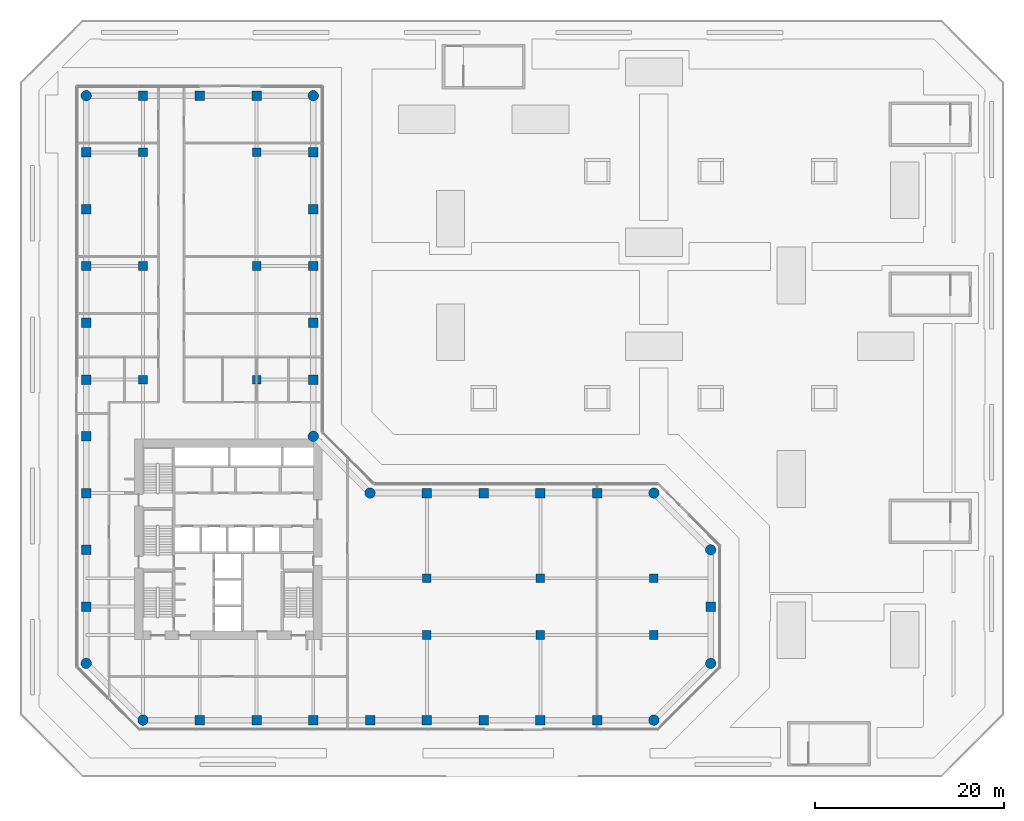
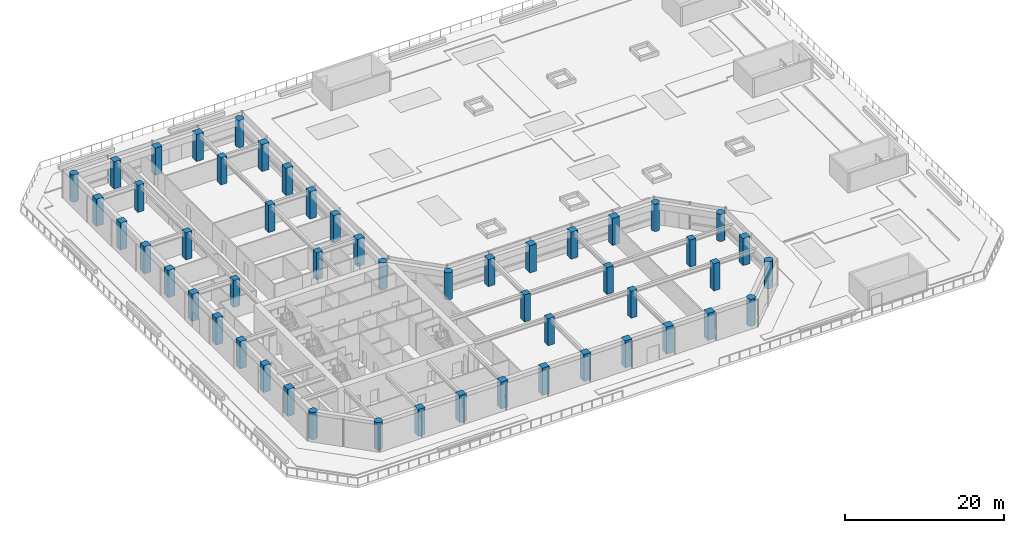
# One storey, part 1 of 31: 52 columns.
"""IFC4 building model written with IfcOpenShell, lengths in metres."""

from ifc_helpers import new_model, si_unit, direction, frame, origin, origin_2d, place, context, subcontext, project, spatial, rectangle, circle, extrude, material, material_profile, profile_set, type_object, element, save


model = new_model("IFC4")

# Units and contexts
model_context = context("Model", 3, precision=1e-05, world=origin(), true_north=direction((0.0, 1.0)))
body_context = subcontext(model_context, "Body", "Model", "MODEL_VIEW")
ifc_project = project(units=[si_unit("LENGTHUNIT", "METRE"), si_unit("AREAUNIT", "SQUARE_METRE"), si_unit("VOLUMEUNIT", "CUBIC_METRE"), si_unit("PLANEANGLEUNIT", "RADIAN"), si_unit("MASSUNIT", "GRAM", prefix="KILO")], contexts=[model_context])

# Site, building, storey
site_placement = place(None, origin())
site = spatial("IfcSite", under=ifc_project, at=site_placement, CompositionType="ELEMENT")
building_placement = place(site_placement, origin())
building = spatial("IfcBuilding", under=site, at=building_placement, Name="Welwitschia Terrace Campus", CompositionType="ELEMENT")
storey_placement = place(building_placement, frame((0.0, 0.0, 11.0)))
storey = spatial("IfcBuildingStorey", under=building, at=storey_placement, Name="L02", CompositionType="ELEMENT", Elevation=11.0)

# Columns
ifc_material_1 = material(Name="Concrete C60/75", Category="concrete")
ifc_material_profile_1 = material_profile(ifc_material_1, circle(Radius=0.550048828125, at=origin_2d()))
ifc_profile_set_1 = profile_set([ifc_material_profile_1], Name="Concrete C60/75")
column_type_1 = type_object("IfcColumnType", Name="Corner column 1100 dia", PredefinedType="COLUMN", material=ifc_profile_set_1)
for number, where, z_axis, x_axis, name in (
    (1, (0.0, 2.0, 0.0), (0.0, 0.0, 1.0), (1.0, 0.0, 0.0), "Column C2"),
    (2, (0.0, 62.0, 0.0), (0.0, 0.0, 1.0), (1.0, 0.0, 0.0), "Column C2"),
    (3, (6.0, -4.0, 0.0), (0.0, 0.0, 1.0), (1.0, 0.0, 0.0), "Column C2"),
    (4, (24.0, 26.0, 0.0), (0.0, 0.0, 1.0), (1.0, 0.0, 0.0), "Column C2"),
    (5, (24.0, 62.0, 0.0), (0.0, 0.0, 1.0), (1.0, 0.0, 0.0), "Column C2"),
    (6, (30.0, 20.0, 0.0), (0.0, 0.0, 1.0), (1.0, 0.0, 0.0), "Column C2"),
    (7, (60.0, -4.0, 0.0), (0.0, 0.0, 1.0), (1.0, 0.0, 0.0), "Column C2"),
    (8, (60.0, 20.0, 0.0), (0.0, 0.0, 1.0), (1.0, 0.0, 0.0), "Column C2"),
    (9, (66.0, 2.0, 0.0), (0.0, 0.0, 1.0), (1.0, 0.0, 0.0), "Column C2"),
    (10, (66.0, 14.0, 0.0), (0.0, 0.0, 1.0), (1.0, 0.0, 0.0), "Column C2"),
):
    element("IfcColumn", number, at=place(storey_placement, frame(where, z_axis=z_axis, x_axis=x_axis)), inside=storey, type_object=column_type_1, Name=name, PredefinedType="COLUMN", context=body_context, shape_type="SweptSolid", body=[
        extrude(circle(Radius=0.550048828125, at=origin_2d()), origin(), (0.0, 0.0, 1.0), 4.14990234375),
    ])
ifc_material_2 = material(Name="Concrete C60/75", Category="concrete")
ifc_material_profile_2 = material_profile(ifc_material_2, rectangle(XDim=0.89990234375, YDim=0.89990234375, at=origin_2d()))
ifc_profile_set_2 = profile_set([ifc_material_profile_2], Name="Concrete C60/75")
column_type_2 = type_object("IfcColumnType", Name="Interior column 900x900", PredefinedType="COLUMN", material=ifc_profile_set_2)
for number, where, z_axis, x_axis, name in (
    (11, (6.0, 32.0, 0.0), (0.0, 0.0, 1.0), (1.0, 0.0, 0.0), "Column C4"),
    (12, (6.0, 44.0, 0.0), (0.0, 0.0, 1.0), (1.0, 0.0, 0.0), "Column C4"),
    (13, (6.0, 56.0, 0.0), (0.0, 0.0, 1.0), (1.0, 0.0, 0.0), "Column C4"),
    (14, (18.0, 32.0, 0.0), (0.0, 0.0, 1.0), (1.0, 0.0, 0.0), "Column C4"),
    (15, (18.0, 44.0, 0.0), (0.0, 0.0, 1.0), (1.0, 0.0, 0.0), "Column C4"),
    (16, (18.0, 56.0, 0.0), (0.0, 0.0, 1.0), (1.0, 0.0, 0.0), "Column C4"),
    (17, (36.0, 5.0, 0.0), (0.0, 0.0, 1.0), (1.0, 0.0, 0.0), "Column C4"),
    (18, (36.0, 11.0, 0.0), (0.0, 0.0, 1.0), (1.0, 0.0, 0.0), "Column C4"),
    (19, (48.0, 5.0, 0.0), (0.0, 0.0, 1.0), (1.0, 0.0, 0.0), "Column C4"),
    (20, (48.0, 11.0, 0.0), (0.0, 0.0, 1.0), (1.0, 0.0, 0.0), "Column C4"),
    (21, (60.0, 5.0, 0.0), (0.0, 0.0, 1.0), (1.0, 0.0, 0.0), "Column C4"),
    (22, (60.0, 11.0, 0.0), (0.0, 0.0, 1.0), (1.0, 0.0, 0.0), "Column C4"),
):
    element("IfcColumn", number, at=place(storey_placement, frame(where, z_axis=z_axis, x_axis=x_axis)), inside=storey, type_object=column_type_2, Name=name, PredefinedType="COLUMN", context=body_context, shape_type="SweptSolid", body=[
        extrude(rectangle(XDim=0.89990234375, YDim=0.89990234375, at=origin_2d()), origin(), (0.0, 0.0, 1.0), 4.14990234375),
    ])
ifc_material_3 = material(Name="Concrete C60/75", Category="concrete")
ifc_material_profile_3 = material_profile(ifc_material_3, rectangle(XDim=1.0, YDim=1.0, at=origin_2d()))
ifc_profile_set_3 = profile_set([ifc_material_profile_3], Name="Concrete C60/75")
column_type_3 = type_object("IfcColumnType", Name="Ring column 1000x1000", PredefinedType="COLUMN", material=ifc_profile_set_3)
for number, where, z_axis, x_axis, name in (
    (23, (0.0, 8.0, 0.0), (0.0, 0.0, 1.0), (1.0, 0.0, 0.0), "Column C3"),
    (24, (0.0, 14.0, 0.0), (0.0, 0.0, 1.0), (1.0, 0.0, 0.0), "Column C3"),
    (25, (0.0, 20.0, 0.0), (0.0, 0.0, 1.0), (1.0, 0.0, 0.0), "Column C3"),
    (26, (0.0, 26.0, 0.0), (0.0, 0.0, 1.0), (1.0, 0.0, 0.0), "Column C3"),
    (27, (0.0, 32.0, 0.0), (0.0, 0.0, 1.0), (1.0, 0.0, 0.0), "Column C3"),
    (28, (0.0, 38.0, 0.0), (0.0, 0.0, 1.0), (1.0, 0.0, 0.0), "Column C3"),
    (29, (0.0, 44.0, 0.0), (0.0, 0.0, 1.0), (1.0, 0.0, 0.0), "Column C3"),
    (30, (0.0, 50.0, 0.0), (0.0, 0.0, 1.0), (1.0, 0.0, 0.0), "Column C3"),
    (31, (0.0, 56.0, 0.0), (0.0, 0.0, 1.0), (1.0, 0.0, 0.0), "Column C3"),
    (32, (6.0, 62.0, 0.0), (0.0, 0.0, 1.0), (1.0, 0.0, 0.0), "Column C3"),
    (33, (12.0, -4.0, 0.0), (0.0, 0.0, 1.0), (1.0, 0.0, 0.0), "Column C3"),
    (34, (12.0, 62.0, 0.0), (0.0, 0.0, 1.0), (1.0, 0.0, 0.0), "Column C3"),
    (35, (18.0, -4.0, 0.0), (0.0, 0.0, 1.0), (1.0, 0.0, 0.0), "Column C3"),
    (36, (18.0, 62.0, 0.0), (0.0, 0.0, 1.0), (1.0, 0.0, 0.0), "Column C3"),
    (37, (24.0, -4.0, 0.0), (0.0, 0.0, 1.0), (1.0, 0.0, 0.0), "Column C3"),
    (38, (24.0, 32.0, 0.0), (0.0, 0.0, 1.0), (1.0, 0.0, 0.0), "Column C3"),
    (39, (24.0, 38.0, 0.0), (0.0, 0.0, 1.0), (1.0, 0.0, 0.0), "Column C3"),
    (40, (24.0, 44.0, 0.0), (0.0, 0.0, 1.0), (1.0, 0.0, 0.0), "Column C3"),
    (41, (24.0, 50.0, 0.0), (0.0, 0.0, 1.0), (1.0, 0.0, 0.0), "Column C3"),
    (42, (24.0, 56.0, 0.0), (0.0, 0.0, 1.0), (1.0, 0.0, 0.0), "Column C3"),
    (43, (30.0, -4.0, 0.0), (0.0, 0.0, 1.0), (1.0, 0.0, 0.0), "Column C3"),
    (44, (36.0, -4.0, 0.0), (0.0, 0.0, 1.0), (1.0, 0.0, 0.0), "Column C3"),
    (45, (36.0, 20.0, 0.0), (0.0, 0.0, 1.0), (1.0, 0.0, 0.0), "Column C3"),
    (46, (42.0, -4.0, 0.0), (0.0, 0.0, 1.0), (1.0, 0.0, 0.0), "Column C3"),
    (47, (42.0, 20.0, 0.0), (0.0, 0.0, 1.0), (1.0, 0.0, 0.0), "Column C3"),
    (48, (48.0, -4.0, 0.0), (0.0, 0.0, 1.0), (1.0, 0.0, 0.0), "Column C3"),
    (49, (48.0, 20.0, 0.0), (0.0, 0.0, 1.0), (1.0, 0.0, 0.0), "Column C3"),
    (50, (54.0, -4.0, 0.0), (0.0, 0.0, 1.0), (1.0, 0.0, 0.0), "Column C3"),
    (51, (54.0, 20.0, 0.0), (0.0, 0.0, 1.0), (1.0, 0.0, 0.0), "Column C3"),
    (52, (66.0, 8.0, 0.0), (0.0, 0.0, 1.0), (1.0, 0.0, 0.0), "Column C3"),
):
    element("IfcColumn", number, at=place(storey_placement, frame(where, z_axis=z_axis, x_axis=x_axis)), inside=storey, type_object=column_type_3, Name=name, PredefinedType="COLUMN", context=body_context, shape_type="SweptSolid", body=[
        extrude(rectangle(XDim=1.0, YDim=1.0, at=origin_2d()), origin(), (0.0, 0.0, 1.0), 4.14990234375),
    ])

save(model, "model.ifc")
